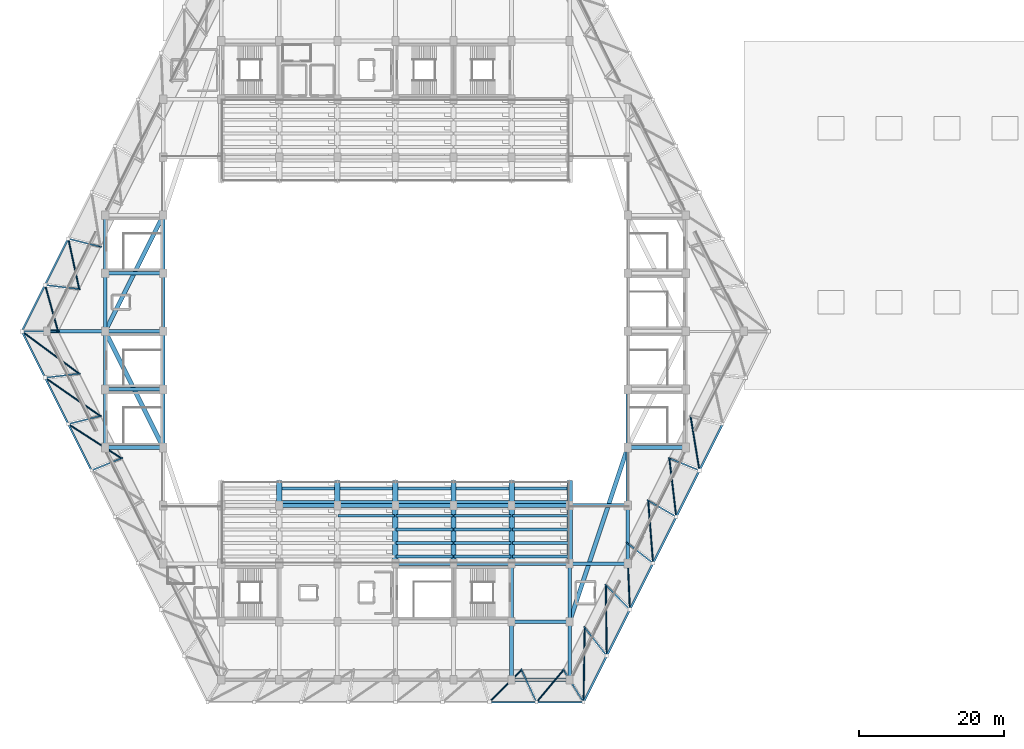
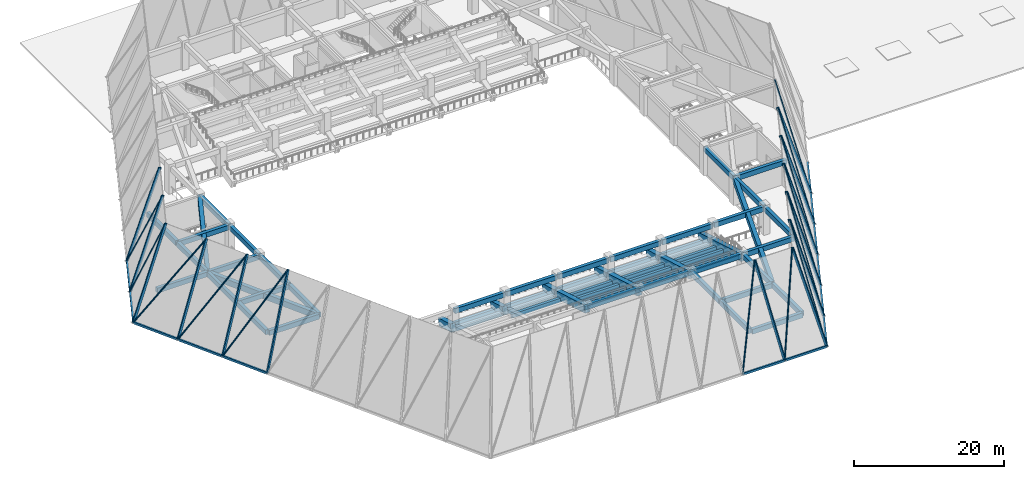
# One storey, part 2 of 24: 69 beams, 39 members.
"""IFC4 building model written with IfcOpenShell, lengths in metres."""

from ifc_helpers import new_model, si_unit, direction, frame, origin, origin_2d, place, context, subcontext, project, spatial, rectangle, hollow_rectangle, hollow_circle, extrude, material, material_profile, profile_set, type_object, element, save


model = new_model("IFC4")

# Units and contexts
model_context = context("Model", 3, precision=1e-05, world=origin(), true_north=direction((0.0, 1.0)))
body_context = subcontext(model_context, "Body", "Model", "MODEL_VIEW")
ifc_project = project(units=[si_unit("LENGTHUNIT", "METRE"), si_unit("AREAUNIT", "SQUARE_METRE"), si_unit("VOLUMEUNIT", "CUBIC_METRE"), si_unit("PLANEANGLEUNIT", "RADIAN"), si_unit("MASSUNIT", "GRAM", prefix="KILO")], contexts=[model_context])

# Site, building, storey
site_placement = place(None, origin())
site = spatial("IfcSite", under=ifc_project, at=site_placement, CompositionType="ELEMENT")
building_placement = place(site_placement, origin())
building = spatial("IfcBuilding", under=site, at=building_placement, Name="Tazarka Park Arena", CompositionType="ELEMENT")
storey_placement = place(building_placement, frame((0.0, 0.0, 15.0)))
storey = spatial("IfcBuildingStorey", under=building, at=storey_placement, Name="L03", CompositionType="ELEMENT", Elevation=15.0)

# Beams
ifc_material_1 = material(Name="Concrete C40/50", Category="concrete")
ifc_material_profile_1 = material_profile(ifc_material_1, rectangle(XDim=0.5, YDim=0.800048828125, at=origin_2d()), Name="Concrete C40/50")
ifc_profile_set_1 = profile_set([ifc_material_profile_1], Name="Concrete C40/50")
beam_type_1 = type_object("IfcBeamType", Name="BM-B-02", PredefinedType="BEAM", material=ifc_profile_set_1)
for number, where, z_axis, x_axis, name in (
    (1, (48.1201171875, 56.0, 4.02001953125), (1.0, 0.0, 0.0), (0.0, 1.0, 0.0), "GXM-L03-06-07"),
    (2, (48.1201171875, 64.0, 4.02001953125), (1.0, 0.0, 0.0), (0.0, 1.0, 0.0), "GXM-L03-06-08"),
    (3, (48.0, 64.1201171875, 4.02001953125), (0.0, 1.0, 0.0), (-1.0, 0.0, 0.0), "GYM-L03-06-08"),
    (4, (48.1201171875, 72.0, 4.02001953125), (1.0, 0.0, 0.0), (0.0, 1.0, 0.0), "GXM-L03-06-09"),
    (5, (88.1201171875, 32.0, 4.02001953125), (1.0, 0.0, 0.0), (0.0, 1.0, 0.0), "GXM-L03-11-04"),
    (6, (96.1201171875, 32.0, 4.02001953125), (1.0, 0.0, 0.0), (0.0, 1.0, 0.0), "GXM-L03-12-04"),
    (7, (104.0, 16.1201171875, 4.02001953125), (0.0, 1.0, 0.0), (-1.0, 0.0, 0.0), "GYM-L03-13-02"),
    (8, (104.1201171875, 24.0, 4.02001953125), (1.0, 0.0, 0.0), (0.0, 1.0, 0.0), "GXM-L03-13-03"),
    (9, (104.0, 24.1201171875, 4.02001953125), (0.0, 1.0, 0.0), (-1.0, 0.0, 0.0), "GYM-L03-13-03"),
    (10, (104.1201171875, 32.0, 4.02001953125), (1.0, 0.0, 0.0), (0.0, 1.0, 0.0), "GXM-L03-13-04"),
    (11, (112.1201171875, 32.0, 4.02001953125), (1.0, 0.0, 0.0), (0.0, 1.0, 0.0), "GXM-L03-14-04"),
    (12, (120.1201171875, 48.0, 4.02001953125), (1.0, 0.0, 0.0), (0.0, 1.0, 0.0), "GXM-L03-15-06"),
):
    element("IfcBeam", number, at=place(storey_placement, frame(where, z_axis=z_axis, x_axis=x_axis)), inside=storey, type_object=beam_type_1, Name=name, PredefinedType="BEAM", context=body_context, shape_type="SweptSolid", body=[
        extrude(rectangle(XDim=0.5, YDim=0.800048828125, at=origin_2d()), origin(), (0.0, 0.0, 1.0), 7.759765625),
    ])
ifc_material_2 = material(Name="Precast concrete C40/50", Category="concrete")
ifc_material_profile_2 = material_profile(ifc_material_2, rectangle(XDim=0.75, YDim=1.199951171875, at=origin_2d()), Name="Precast concrete C40/50")
ifc_profile_set_2 = profile_set([ifc_material_profile_2], Name="Precast concrete C40/50")
beam_type_2 = type_object("IfcBeamType", Name="BM-RK-02", PredefinedType="BEAM", material=ifc_profile_set_2)
for number, where, z_axis, x_axis, name in (
    (13, (72.0, 43.300048828125, 0.33056640625), (0.0, -0.959453616174, 0.281866561354), (1.0, 0.0, 0.0), "RAKER RK-02-02C"),
    (14, (80.0, 43.300048828125, 0.33056640625), (0.0, -0.959453616174, 0.281866561354), (1.0, 0.0, 0.0), "RAKER RK-02-03C"),
):
    element("IfcBeam", number, at=place(storey_placement, frame(where, z_axis=z_axis, x_axis=x_axis)), inside=storey, type_object=beam_type_2, Name=name, PredefinedType="BEAM", context=body_context, shape_type="SweptSolid", body=[
        extrude(rectangle(XDim=0.75, YDim=1.199951171875, at=origin_2d()), origin(), (0.0, 0.0, 1.0), 3.439453125),
    ])
beam_1_placement = place(storey_placement, frame((88.0, 40.0, 1.300048828125), z_axis=(0.0, -0.959465685015, 0.281825476632), x_axis=(1.0, 0.0, 0.0)))
element("IfcBeam", 15, at=beam_1_placement, inside=storey, type_object=beam_type_2, Name="RAKER RK-02-04B", PredefinedType="BEAM", context=body_context, shape_type="SweptSolid", body=[
    extrude(rectangle(XDim=0.75, YDim=1.199951171875, at=origin_2d()), origin(), (0.0, 0.0, 1.0), 8.337890625),
])
beam_2_placement = place(storey_placement, frame((88.0, 43.300048828125, 0.33056640625), z_axis=(0.0, -0.959453616174, 0.281866561354), x_axis=(1.0, 0.0, 0.0)))
element("IfcBeam", 16, at=beam_2_placement, inside=storey, type_object=beam_type_2, Name="RAKER RK-02-04C", PredefinedType="BEAM", context=body_context, shape_type="SweptSolid", body=[
    extrude(rectangle(XDim=0.75, YDim=1.199951171875, at=origin_2d()), origin(), (0.0, 0.0, 1.0), 3.439453125),
])
beam_3_placement = place(storey_placement, frame((96.0, 40.0, 1.300048828125), z_axis=(0.0, -0.959465685015, 0.281825476632), x_axis=(1.0, 0.0, 0.0)))
element("IfcBeam", 17, at=beam_3_placement, inside=storey, type_object=beam_type_2, Name="RAKER RK-02-05B", PredefinedType="BEAM", context=body_context, shape_type="SweptSolid", body=[
    extrude(rectangle(XDim=0.75, YDim=1.199951171875, at=origin_2d()), origin(), (0.0, 0.0, 1.0), 8.337890625),
])
beam_4_placement = place(storey_placement, frame((96.0, 43.300048828125, 0.33056640625), z_axis=(0.0, -0.959453616174, 0.281866561354), x_axis=(1.0, 0.0, 0.0)))
element("IfcBeam", 18, at=beam_4_placement, inside=storey, type_object=beam_type_2, Name="RAKER RK-02-05C", PredefinedType="BEAM", context=body_context, shape_type="SweptSolid", body=[
    extrude(rectangle(XDim=0.75, YDim=1.199951171875, at=origin_2d()), origin(), (0.0, 0.0, 1.0), 3.439453125),
])
beam_5_placement = place(storey_placement, frame((104.0, 40.0, 1.300048828125), z_axis=(0.0, -0.959465685015, 0.281825476632), x_axis=(1.0, 0.0, 0.0)))
element("IfcBeam", 19, at=beam_5_placement, inside=storey, type_object=beam_type_2, Name="RAKER RK-02-06B", PredefinedType="BEAM", context=body_context, shape_type="SweptSolid", body=[
    extrude(rectangle(XDim=0.75, YDim=1.199951171875, at=origin_2d()), origin(), (0.0, 0.0, 1.0), 8.337890625),
])
beam_6_placement = place(storey_placement, frame((104.0, 43.300048828125, 0.33056640625), z_axis=(0.0, -0.959453616174, 0.281866561354), x_axis=(1.0, 0.0, 0.0)))
element("IfcBeam", 20, at=beam_6_placement, inside=storey, type_object=beam_type_2, Name="RAKER RK-02-06C", PredefinedType="BEAM", context=body_context, shape_type="SweptSolid", body=[
    extrude(rectangle(XDim=0.75, YDim=1.199951171875, at=origin_2d()), origin(), (0.0, 0.0, 1.0), 3.439453125),
])
beam_7_placement = place(storey_placement, frame((112.0, 40.0, 1.300048828125), z_axis=(0.0, -0.959465685015, 0.281825476632), x_axis=(1.0, 0.0, 0.0)))
element("IfcBeam", 21, at=beam_7_placement, inside=storey, type_object=beam_type_2, Name="RAKER RK-02-07B", PredefinedType="BEAM", context=body_context, shape_type="SweptSolid", body=[
    extrude(rectangle(XDim=0.75, YDim=1.199951171875, at=origin_2d()), origin(), (0.0, 0.0, 1.0), 8.337890625),
])
beam_8_placement = place(storey_placement, frame((112.0, 43.300048828125, 0.33056640625), z_axis=(0.0, -0.959453616174, 0.281866561354), x_axis=(1.0, 0.0, 0.0)))
element("IfcBeam", 22, at=beam_8_placement, inside=storey, type_object=beam_type_2, Name="RAKER RK-02-07C", PredefinedType="BEAM", context=body_context, shape_type="SweptSolid", body=[
    extrude(rectangle(XDim=0.75, YDim=1.199951171875, at=origin_2d()), origin(), (0.0, 0.0, 1.0), 3.439453125),
])
ifc_material_3 = material(Name="Concrete C40/50", Category="concrete")
ifc_material_profile_3 = material_profile(ifc_material_3, rectangle(XDim=0.5, YDim=0.800048828125, at=origin_2d()), Name="Concrete C40/50")
ifc_profile_set_3 = profile_set([ifc_material_profile_3], Name="Concrete C40/50")
beam_type_3 = type_object("IfcBeamType", Name="BM-SP-01", PredefinedType="SPANDREL", material=ifc_profile_set_3)
for number, where, z_axis, x_axis, name in (
    (23, (40.1201171875, 64.0, 4.02001953125), (1.0, 0.0, 0.0), (0.0, 1.0, 0.0), "GXM-L03-05-08"),
    (24, (48.1201171875, 48.0, 4.02001953125), (1.0, 0.0, 0.0), (0.0, 1.0, 0.0), "GXM-L03-06-06"),
    (25, (48.0, 48.1201171875, 4.02001953125), (0.0, 1.0, 0.0), (-1.0, 0.0, 0.0), "GYM-L03-06-06"),
    (26, (48.0, 56.1201171875, 4.02001953125), (0.0, 1.0, 0.0), (-1.0, 0.0, 0.0), "GYM-L03-06-07"),
    (27, (48.0, 72.1201171875, 4.02001953125), (0.0, 1.0, 0.0), (-1.0, 0.0, 0.0), "GYM-L03-06-09"),
    (28, (56.0, 48.1201171875, 4.02001953125), (0.0, 1.0, 0.0), (-1.0, 0.0, 0.0), "GYM-L03-07-06"),
    (29, (56.0, 56.1201171875, 4.02001953125), (0.0, 1.0, 0.0), (-1.0, 0.0, 0.0), "GYM-L03-07-07"),
    (30, (56.0, 64.1201171875, 4.02001953125), (0.0, 1.0, 0.0), (-1.0, 0.0, 0.0), "GYM-L03-07-08"),
    (31, (56.0, 72.1201171875, 4.02001953125), (0.0, 1.0, 0.0), (-1.0, 0.0, 0.0), "GYM-L03-07-09"),
    (32, (72.1201171875, 40.0, 4.02001953125), (1.0, 0.0, 0.0), (0.0, 1.0, 0.0), "GXM-L03-09-05"),
    (33, (80.1201171875, 40.0, 4.02001953125), (1.0, 0.0, 0.0), (0.0, 1.0, 0.0), "GXM-L03-10-05"),
    (34, (88.1201171875, 40.0, 4.02001953125), (1.0, 0.0, 0.0), (0.0, 1.0, 0.0), "GXM-L03-11-05"),
    (35, (96.1201171875, 40.0, 4.02001953125), (1.0, 0.0, 0.0), (0.0, 1.0, 0.0), "GXM-L03-12-05"),
    (36, (104.1201171875, 16.0, 4.02001953125), (1.0, 0.0, 0.0), (0.0, 1.0, 0.0), "GXM-L03-13-02"),
    (37, (104.1201171875, 40.0, 4.02001953125), (1.0, 0.0, 0.0), (0.0, 1.0, 0.0), "GXM-L03-13-05"),
    (38, (112.0, 16.1201171875, 4.02001953125), (0.0, 1.0, 0.0), (-1.0, 0.0, 0.0), "GYM-L03-14-02"),
    (39, (112.0, 24.1201171875, 4.02001953125), (0.0, 1.0, 0.0), (-1.0, 0.0, 0.0), "GYM-L03-14-03"),
    (40, (112.1201171875, 40.0, 4.02001953125), (1.0, 0.0, 0.0), (0.0, 1.0, 0.0), "GXM-L03-14-05"),
    (41, (120.0, 32.1201171875, 4.02001953125), (0.0, 1.0, 0.0), (-1.0, 0.0, 0.0), "GYM-L03-15-04"),
    (42, (120.0, 40.1201171875, 4.02001953125), (0.0, 1.0, 0.0), (-1.0, 0.0, 0.0), "GYM-L03-15-05"),
    (43, (120.0, 48.1201171875, 4.02001953125), (0.0, 1.0, 0.0), (-1.0, 0.0, 0.0), "GYM-L03-15-06"),
):
    element("IfcBeam", number, at=place(storey_placement, frame(where, z_axis=z_axis, x_axis=x_axis)), inside=storey, type_object=beam_type_3, Name=name, PredefinedType="SPANDREL", context=body_context, shape_type="SweptSolid", body=[
        extrude(rectangle(XDim=0.5, YDim=0.800048828125, at=origin_2d()), origin(), (0.0, 0.0, 1.0), 7.759765625),
    ])
ifc_material_4 = material(Name="Concrete C40/50", Category="concrete")
ifc_material_profile_4 = material_profile(ifc_material_4, rectangle(XDim=0.60009765625, YDim=0.949951171875, at=origin_2d()), Name="Concrete C40/50")
ifc_profile_set_4 = profile_set([ifc_material_profile_4], Name="Concrete C40/50")
beam_type_4 = type_object("IfcBeamType", Name="BM-SP-03", PredefinedType="SPANDREL", material=ifc_profile_set_4)
beam_9_placement = place(storey_placement, frame((112.037841796875, 24.11376953125, 3.945068359375), z_axis=(0.316233611724, 0.948681349461, 0.0), x_axis=(-0.948681349461, 0.316233611724, 0.0)))
element("IfcBeam", 44, at=beam_9_placement, inside=storey, type_object=beam_type_4, Name="RING BEAM SP-03-L03-07", PredefinedType="SPANDREL", context=body_context, shape_type="SweptSolid", body=[
    extrude(rectangle(XDim=0.60009765625, YDim=0.949951171875, at=origin_2d()), origin(), (0.0, 0.0, 1.0), 25.058349609375),
])
for number, where, z_axis, x_axis, name in (
    (45, (55.9462890625, 79.892578125, 3.945068359375), (-0.4472135955, -0.894427191, 0.0), (0.894427191, -0.4472135955, 0.0), "RING BEAM SP-03-L03-18"),
    (46, (48.0537109375, 63.892578125, 3.945068359375), (0.4472135955, -0.894427191, 0.0), (0.894427191, 0.4472135955, 0.0), "RING BEAM SP-03-L03-19"),
):
    element("IfcBeam", number, at=place(storey_placement, frame(where, z_axis=z_axis, x_axis=x_axis)), inside=storey, type_object=beam_type_4, Name=name, PredefinedType="SPANDREL", context=body_context, shape_type="SweptSolid", body=[
        extrude(rectangle(XDim=0.60009765625, YDim=0.949951171875, at=origin_2d()), origin(), (0.0, 0.0, 1.0), 17.6484375),
    ])
ifc_material_5 = material(Name="Precast concrete C40/50", Category="concrete")
ifc_material_profile_5 = material_profile(ifc_material_5, rectangle(XDim=0.39990234375, YDim=0.64990234375, at=origin_2d()), Name="Precast concrete C40/50")
ifc_profile_set_5 = profile_set([ifc_material_profile_5], Name="Precast concrete C40/50")
beam_type_5 = type_object("IfcBeamType", Name="BM-TB-01", PredefinedType="BEAM", material=ifc_profile_set_5)
for number, where, z_axis, x_axis, name in (
    (47, (72.10009765625, 42.360107421875, -0.02490234375), (1.0, 0.0, 0.0), (0.0, 1.0, 0.0), "UTB-S-09-1"),
    (48, (80.10009765625, 42.360107421875, -0.02490234375), (1.0, 0.0, 0.0), (0.0, 1.0, 0.0), "UTB-S-10-1"),
    (49, (88.10009765625, 42.360107421875, -0.02490234375), (1.0, 0.0, 0.0), (0.0, 1.0, 0.0), "UTB-S-11-1"),
    (50, (96.10009765625, 42.360107421875, -0.02490234375), (1.0, 0.0, 0.0), (0.0, 1.0, 0.0), "UTB-S-12-1"),
    (51, (104.10009765625, 42.360107421875, -0.02490234375), (1.0, 0.0, 0.0), (0.0, 1.0, 0.0), "UTB-S-13-1"),
    (52, (72.10009765625, 40.47998046875, 0.60498046875), (1.0, 0.0, 0.0), (0.0, 1.0, 0.0), "UTB-S-09-2"),
    (53, (80.10009765625, 40.47998046875, 0.60498046875), (1.0, 0.0, 0.0), (0.0, 1.0, 0.0), "UTB-S-10-2"),
    (54, (88.10009765625, 40.47998046875, 0.60498046875), (1.0, 0.0, 0.0), (0.0, 1.0, 0.0), "UTB-S-11-2"),
    (55, (96.10009765625, 40.47998046875, 0.60498046875), (1.0, 0.0, 0.0), (0.0, 1.0, 0.0), "UTB-S-12-2"),
    (56, (104.10009765625, 40.47998046875, 0.60498046875), (1.0, 0.0, 0.0), (0.0, 1.0, 0.0), "UTB-S-13-2"),
    (57, (80.10009765625, 38.60009765625, 1.235107421875), (1.0, 0.0, 0.0), (0.0, 1.0, 0.0), "UTB-S-10-3"),
    (58, (88.10009765625, 38.60009765625, 1.235107421875), (1.0, 0.0, 0.0), (0.0, 1.0, 0.0), "UTB-S-11-3"),
    (59, (96.10009765625, 38.60009765625, 1.235107421875), (1.0, 0.0, 0.0), (0.0, 1.0, 0.0), "UTB-S-12-3"),
    (60, (104.10009765625, 38.60009765625, 1.235107421875), (1.0, 0.0, 0.0), (0.0, 1.0, 0.0), "UTB-S-13-3"),
    (61, (88.10009765625, 36.719970703125, 1.864990234375), (1.0, 0.0, 0.0), (0.0, 1.0, 0.0), "UTB-S-11-4"),
    (62, (96.10009765625, 36.719970703125, 1.864990234375), (1.0, 0.0, 0.0), (0.0, 1.0, 0.0), "UTB-S-12-4"),
    (63, (104.10009765625, 36.719970703125, 1.864990234375), (1.0, 0.0, 0.0), (0.0, 1.0, 0.0), "UTB-S-13-4"),
    (64, (88.10009765625, 34.840087890625, 2.4951171875), (1.0, 0.0, 0.0), (0.0, 1.0, 0.0), "UTB-S-11-5"),
    (65, (96.10009765625, 34.840087890625, 2.4951171875), (1.0, 0.0, 0.0), (0.0, 1.0, 0.0), "UTB-S-12-5"),
    (66, (104.10009765625, 34.840087890625, 2.4951171875), (1.0, 0.0, 0.0), (0.0, 1.0, 0.0), "UTB-S-13-5"),
    (67, (88.10009765625, 32.9599609375, 3.135009765625), (1.0, 0.0, 0.0), (0.0, 1.0, 0.0), "UTB-S-11-6"),
    (68, (96.10009765625, 32.9599609375, 3.135009765625), (1.0, 0.0, 0.0), (0.0, 1.0, 0.0), "UTB-S-12-6"),
    (69, (104.10009765625, 32.9599609375, 3.135009765625), (1.0, 0.0, 0.0), (0.0, 1.0, 0.0), "UTB-S-13-6"),
):
    element("IfcBeam", number, at=place(storey_placement, frame(where, z_axis=z_axis, x_axis=x_axis)), inside=storey, type_object=beam_type_5, Name=name, PredefinedType="BEAM", context=body_context, shape_type="SweptSolid", body=[
        extrude(rectangle(XDim=0.39990234375, YDim=0.64990234375, at=origin_2d()), origin(), (0.0, 0.0, 1.0), 7.7998046875),
    ])

# Members
ifc_material_6 = material(Name="Steel S355", Category="steel")
ifc_material_profile_6 = material_profile(ifc_material_6, hollow_circle(Radius=0.122314453125, WallThickness=0.012451171875, at=origin_2d()), Name="Steel S355")
ifc_profile_set_6 = profile_set([ifc_material_profile_6], Name="Steel S355")
member_type_1 = type_object("IfcMemberType", Name="MEM-BR-05", PredefinedType="BRACE", material=ifc_profile_set_6)
member_1_placement = place(storey_placement, frame((100.9580078125, 12.89990234375, 0.0), z_axis=(0.281470532125, 0.283758277797, 0.916654558341), x_axis=(-0.709962958162, 0.70423902053, 0.0)))
element("IfcMember", 70, at=member_1_placement, inside=storey, type_object=member_type_1, Name="FSD-06", PredefinedType="BRACE", context=body_context, shape_type="SweptSolid", body=[
    extrude(hollow_circle(Radius=0.122314453125, WallThickness=0.012451171875, at=origin_2d()), origin(), (0.0, 0.0, 1.0), 15.687255859375),
])
member_2_placement = place(storey_placement, frame((107.43701171875, 12.89990234375, 0.0), z_axis=(0.240380855767, 0.287043299705, 0.927266514156), x_axis=(-0.766671509979, 0.642039559363, 0.0)))
element("IfcMember", 71, at=member_2_placement, inside=storey, type_object=member_type_1, Name="FSD-07", PredefinedType="BRACE", context=body_context, shape_type="SweptSolid", body=[
    extrude(hollow_circle(Radius=0.122314453125, WallThickness=0.012451171875, at=origin_2d()), origin(), (0.0, 0.0, 1.0), 15.5078125),
])
member_3_placement = place(storey_placement, frame((113.916015625, 12.89990234375, 0.0), z_axis=(0.009293958918, 0.581638873276, 0.813394027161), x_axis=(-0.999872361557, 0.015976876854, 0.0)))
element("IfcMember", 72, at=member_3_placement, inside=storey, type_object=member_type_1, Name="FSD-08", PredefinedType="BRACE", context=body_context, shape_type="SweptSolid", body=[
    extrude(hollow_circle(Radius=0.122314453125, WallThickness=0.012451171875, at=origin_2d()), origin(), (0.0, 0.0, 1.0), 17.678955078125),
])
member_4_placement = place(storey_placement, frame((117.109619140625, 19.28759765625, 0.0), z_axis=(-0.006553317271, 0.560238312135, 0.828305552105), x_axis=(-0.999931592736, -0.011696574181, 0.0)))
element("IfcMember", 73, at=member_4_placement, inside=storey, type_object=member_type_1, Name="FSD-09", PredefinedType="BRACE", context=body_context, shape_type="SweptSolid", body=[
    extrude(hollow_circle(Radius=0.122314453125, WallThickness=0.012451171875, at=origin_2d()), origin(), (0.0, 0.0, 1.0), 17.360595703125),
])
member_5_placement = place(storey_placement, frame((120.303466796875, 25.675048828125, 0.0), z_axis=(-0.02298418939, 0.537509455233, 0.8429444303), x_axis=(-0.999087020342, -0.042721490885, 0.0)))
element("IfcMember", 74, at=member_5_placement, inside=storey, type_object=member_type_1, Name="FSD-10", PredefinedType="BRACE", context=body_context, shape_type="SweptSolid", body=[
    extrude(hollow_circle(Radius=0.122314453125, WallThickness=0.012451171875, at=origin_2d()), origin(), (0.0, 0.0, 1.0), 17.05908203125),
])
member_6_placement = place(storey_placement, frame((123.497314453125, 32.0625, 0.0), z_axis=(-0.039963526543, 0.513442540588, 0.857192903646), x_axis=(-0.996984591937, -0.07759976444, 0.0)))
element("IfcMember", 75, at=member_6_placement, inside=storey, type_object=member_type_1, Name="FSD-11", PredefinedType="BRACE", context=body_context, shape_type="SweptSolid", body=[
    extrude(hollow_circle(Radius=0.122314453125, WallThickness=0.012451171875, at=origin_2d()), origin(), (0.0, 0.0, 1.0), 16.775634765625),
])
member_7_placement = place(storey_placement, frame((126.69091796875, 38.449951171875, 0.0), z_axis=(-0.057447732384, 0.487987803447, 0.870957898943), x_axis=(-0.993141768348, -0.1169163289, 0.0)))
element("IfcMember", 76, at=member_7_placement, inside=storey, type_object=member_type_1, Name="FSD-12", PredefinedType="BRACE", context=body_context, shape_type="SweptSolid", body=[
    extrude(hollow_circle(Radius=0.122314453125, WallThickness=0.012451171875, at=origin_2d()), origin(), (0.0, 0.0, 1.0), 16.510498046875),
])
member_8_placement = place(storey_placement, frame((129.884521484375, 44.83740234375, 0.0), z_axis=(-0.07541221583, 0.461149302296, 0.884112164092), x_axis=(-0.986891146113, -0.161387315867, 0.0)))
element("IfcMember", 77, at=member_8_placement, inside=storey, type_object=member_type_1, Name="FSD-13", PredefinedType="BRACE", context=body_context, shape_type="SweptSolid", body=[
    extrude(hollow_circle(Radius=0.122314453125, WallThickness=0.012451171875, at=origin_2d()), origin(), (0.0, 0.0, 1.0), 16.264892578125),
])
member_9_placement = place(storey_placement, frame((42.921630859375, 76.77490234375, 0.0), z_axis=(0.093824066401, -0.432924090945, 0.896534313924), x_axis=(0.977311997828, 0.211804766001, 0.0)))
element("IfcMember", 78, at=member_9_placement, inside=storey, type_object=member_type_1, Name="FSD-38", PredefinedType="BRACE", context=body_context, shape_type="SweptSolid", body=[
    extrude(hollow_circle(Radius=0.122314453125, WallThickness=0.012451171875, at=origin_2d()), origin(), (0.0, 0.0, 1.0), 16.039306640625),
])
member_10_placement = place(storey_placement, frame((39.727783203125, 70.387451171875, 0.0), z_axis=(0.112608548555, -0.403364930975, 0.908083722601), x_axis=(0.963170584231, 0.268891103743, 0.0)))
element("IfcMember", 79, at=member_10_placement, inside=storey, type_object=member_type_1, Name="FSD-39", PredefinedType="BRACE", context=body_context, shape_type="SweptSolid", body=[
    extrude(hollow_circle(Radius=0.122314453125, WallThickness=0.012451171875, at=origin_2d()), origin(), (0.0, 0.0, 1.0), 15.83544921875),
])
member_11_placement = place(storey_placement, frame((36.5341796875, 64.0, 0.0), z_axis=(0.453349505798, -0.334946007872, 0.826005688481), x_axis=(0.594232249844, 0.804293499443, 0.0)))
element("IfcMember", 80, at=member_11_placement, inside=storey, type_object=member_type_1, Name="FSD-40", PredefinedType="BRACE", context=body_context, shape_type="SweptSolid", body=[
    extrude(hollow_circle(Radius=0.122314453125, WallThickness=0.012451171875, at=origin_2d()), origin(), (0.0, 0.0, 1.0), 17.408935546875),
])
member_12_placement = place(storey_placement, frame((39.727783203125, 57.612548828125, 0.0), z_axis=(0.44514887628, -0.308369933052, 0.8406845201), x_axis=(0.569447064431, 0.822028004882, 0.0)))
element("IfcMember", 81, at=member_12_placement, inside=storey, type_object=member_type_1, Name="FSD-41", PredefinedType="BRACE", context=body_context, shape_type="SweptSolid", body=[
    extrude(hollow_circle(Radius=0.122314453125, WallThickness=0.012451171875, at=origin_2d()), origin(), (0.0, 0.0, 1.0), 17.10498046875),
])
member_13_placement = place(storey_placement, frame((42.921630859375, 51.22509765625, 0.0), z_axis=(0.436184893003, -0.280541441766, 0.855008326607), x_axis=(0.540944316024, 0.841058408769, 0.0)))
element("IfcMember", 82, at=member_13_placement, inside=storey, type_object=member_type_1, Name="FSD-42", PredefinedType="BRACE", context=body_context, shape_type="SweptSolid", body=[
    extrude(hollow_circle(Radius=0.122314453125, WallThickness=0.012451171875, at=origin_2d()), origin(), (0.0, 0.0, 1.0), 16.818359375),
])
ifc_material_7 = material(Name="Steel S460", Category="steel")
ifc_material_profile_7 = material_profile(ifc_material_7, hollow_rectangle(XDim=0.199951171875, YDim=0.39990234375, WallThickness=0.01611328125, at=origin_2d()), Name="Steel S460")
ifc_profile_set_7 = profile_set([ifc_material_profile_7], Name="Steel S460")
member_type_2 = type_object("IfcMemberType", Name="MEM-SR-03", PredefinedType="STRUT", material=ifc_profile_set_7)
member_14_placement = place(storey_placement, frame((107.43701171875, 12.89990234375, 0.0), z_axis=(-0.135809694664, 0.29297422655, 0.94642581823), x_axis=(-0.907261986426, -0.420565913962, 0.0)))
element("IfcMember", 83, at=member_14_placement, inside=storey, type_object=member_type_2, Name="FSU-07", PredefinedType="STRUT", context=body_context, shape_type="SweptSolid", body=[
    extrude(hollow_rectangle(XDim=0.199951171875, YDim=0.39990234375, WallThickness=0.01611328125, at=origin_2d()), origin(), (0.0, 0.0, 1.0), 15.19384765625),
])
member_15_placement = place(storey_placement, frame((113.916015625, 12.89990234375, 0.0), z_axis=(-0.179789413355, 0.29089540986, 0.939710395477), x_axis=(-0.85064274872, -0.525744152653, 0.0)))
element("IfcMember", 84, at=member_15_placement, inside=storey, type_object=member_type_2, Name="FSU-08", PredefinedType="STRUT", context=body_context, shape_type="SweptSolid", body=[
    extrude(hollow_rectangle(XDim=0.199951171875, YDim=0.39990234375, WallThickness=0.01611328125, at=origin_2d()), origin(), (0.0, 0.0, 1.0), 15.302490234375),
])
member_16_placement = place(storey_placement, frame((117.109619140625, 19.28759765625, 0.0), z_axis=(-0.19925753849, 0.256202028454, 0.945863073585), x_axis=(-0.789368202232, -0.613920061006, 0.0)))
element("IfcMember", 85, at=member_16_placement, inside=storey, type_object=member_type_2, Name="FSU-09", PredefinedType="STRUT", context=body_context, shape_type="SweptSolid", body=[
    extrude(hollow_rectangle(XDim=0.199951171875, YDim=0.39990234375, WallThickness=0.01611328125, at=origin_2d()), origin(), (0.0, 0.0, 1.0), 15.202880859375),
])
member_17_placement = place(storey_placement, frame((120.303466796875, 25.675048828125, 0.0), z_axis=(-0.218636630539, 0.220686147227, 0.950523880925), x_axis=(-0.710397826082, -0.703800347185, 0.0)))
element("IfcMember", 86, at=member_17_placement, inside=storey, type_object=member_type_2, Name="FSU-10", PredefinedType="STRUT", context=body_context, shape_type="SweptSolid", body=[
    extrude(hollow_rectangle(XDim=0.199951171875, YDim=0.39990234375, WallThickness=0.01611328125, at=origin_2d()), origin(), (0.0, 0.0, 1.0), 15.12841796875),
])
member_18_placement = place(storey_placement, frame((123.497314453125, 32.0625, 0.0), z_axis=(-0.23780837995, 0.184492544222, 0.953629737137), x_axis=(-0.61296815481, -0.790107613676, 0.0)))
element("IfcMember", 87, at=member_18_placement, inside=storey, type_object=member_type_2, Name="FSU-11", PredefinedType="STRUT", context=body_context, shape_type="SweptSolid", body=[
    extrude(hollow_rectangle(XDim=0.199951171875, YDim=0.39990234375, WallThickness=0.01611328125, at=origin_2d()), origin(), (0.0, 0.0, 1.0), 15.0791015625),
])
member_19_placement = place(storey_placement, frame((126.69091796875, 38.449951171875, 0.0), z_axis=(-0.256652507162, 0.14784235217, 0.955129378394), x_axis=(-0.499148844122, -0.866516261481, 0.0)))
element("IfcMember", 88, at=member_19_placement, inside=storey, type_object=member_type_2, Name="FSU-12", PredefinedType="STRUT", context=body_context, shape_type="SweptSolid", body=[
    extrude(hollow_rectangle(XDim=0.199951171875, YDim=0.39990234375, WallThickness=0.01611328125, at=origin_2d()), origin(), (0.0, 0.0, 1.0), 15.055419921875),
])
member_20_placement = place(storey_placement, frame((129.884521484375, 44.83740234375, 0.0), z_axis=(-0.275086869246, 0.11087139054, 0.955005104242), x_axis=(-0.373821195148, -0.927500789249, 0.0)))
element("IfcMember", 89, at=member_20_placement, inside=storey, type_object=member_type_2, Name="FSU-13", PredefinedType="STRUT", context=body_context, shape_type="SweptSolid", body=[
    extrude(hollow_rectangle(XDim=0.199951171875, YDim=0.39990234375, WallThickness=0.01611328125, at=origin_2d()), origin(), (0.0, 0.0, 1.0), 15.057373046875),
])
member_21_placement = place(storey_placement, frame((42.921630859375, 76.77490234375, 0.0), z_axis=(0.2930321102, -0.073767831564, 0.95325258427), x_axis=(0.244123175142, 0.969744231928, 0.0)))
element("IfcMember", 90, at=member_21_placement, inside=storey, type_object=member_type_2, Name="FSU-38", PredefinedType="STRUT", context=body_context, shape_type="SweptSolid", body=[
    extrude(hollow_rectangle(XDim=0.199951171875, YDim=0.39990234375, WallThickness=0.01611328125, at=origin_2d()), origin(), (0.0, 0.0, 1.0), 15.0849609375),
])
member_22_placement = place(storey_placement, frame((39.727783203125, 70.387451171875, 0.0), z_axis=(0.310386559395, -0.036754181069, 0.949899633604), x_axis=(0.117592648169, 0.993061916044, 0.0)))
element("IfcMember", 91, at=member_22_placement, inside=storey, type_object=member_type_2, Name="FSU-39", PredefinedType="STRUT", context=body_context, shape_type="SweptSolid", body=[
    extrude(hollow_rectangle(XDim=0.199951171875, YDim=0.39990234375, WallThickness=0.01611328125, at=origin_2d()), origin(), (0.0, 0.0, 1.0), 15.138427734375),
])
member_23_placement = place(storey_placement, frame((36.5341796875, 64.0, 0.0), z_axis=(0.327060968423, 0.0, 0.945003239642), x_axis=(0.0, 1.0, 0.0)))
element("IfcMember", 92, at=member_23_placement, inside=storey, type_object=member_type_2, Name="FSU-40", PredefinedType="STRUT", context=body_context, shape_type="SweptSolid", body=[
    extrude(hollow_rectangle(XDim=0.199951171875, YDim=0.39990234375, WallThickness=0.01611328125, at=origin_2d()), origin(), (0.0, 0.0, 1.0), 15.216796875),
])
member_24_placement = place(storey_placement, frame((39.727783203125, 57.612548828125, 0.0), z_axis=(0.310386559395, 0.036754181069, 0.949899633604), x_axis=(-0.117592648169, 0.993061916044, 0.0)))
element("IfcMember", 93, at=member_24_placement, inside=storey, type_object=member_type_2, Name="FSU-41", PredefinedType="STRUT", context=body_context, shape_type="SweptSolid", body=[
    extrude(hollow_rectangle(XDim=0.199951171875, YDim=0.39990234375, WallThickness=0.01611328125, at=origin_2d()), origin(), (0.0, 0.0, 1.0), 15.138427734375),
])
member_25_placement = place(storey_placement, frame((42.921630859375, 51.22509765625, 0.0), z_axis=(0.2930321102, 0.073767831564, 0.95325258427), x_axis=(-0.244123175142, 0.969744231928, 0.0)))
element("IfcMember", 94, at=member_25_placement, inside=storey, type_object=member_type_2, Name="FSU-42", PredefinedType="STRUT", context=body_context, shape_type="SweptSolid", body=[
    extrude(hollow_rectangle(XDim=0.199951171875, YDim=0.39990234375, WallThickness=0.01611328125, at=origin_2d()), origin(), (0.0, 0.0, 1.0), 15.0849609375),
])
member_26_placement = place(storey_placement, frame((46.115234375, 44.83740234375, 0.0), z_axis=(0.275101856195, 0.110870896013, 0.955000844573), x_axis=(-0.373802241501, 0.927508428128, 0.0)))
element("IfcMember", 95, at=member_26_placement, inside=storey, type_object=member_type_2, Name="FSU-43", PredefinedType="STRUT", context=body_context, shape_type="SweptSolid", body=[
    extrude(hollow_rectangle(XDim=0.199951171875, YDim=0.39990234375, WallThickness=0.01611328125, at=origin_2d()), origin(), (0.0, 0.0, 1.0), 15.057373046875),
])
ifc_material_8 = material(Name="Steel S460", Category="steel")
ifc_material_profile_8 = material_profile(ifc_material_8, hollow_rectangle(XDim=0.25, YDim=0.35009765625, WallThickness=0.012451171875, at=origin_2d()), Name="Steel S460")
ifc_profile_set_8 = profile_set([ifc_material_profile_8], Name="Steel S460")
member_type_3 = type_object("IfcMemberType", Name="MEM-SR-04", PredefinedType="STRUT", material=ifc_profile_set_8)
for number, where, z_axis, x_axis, name in (
    (96, (100.9580078125, 12.89990234375, 0.0), (1.0, 0.0, 0.0), (0.0, 1.0, 0.0), "GMW-06"),
    (97, (107.43701171875, 12.89990234375, 0.0), (1.0, 0.0, 0.0), (0.0, 1.0, 0.0), "GMW-07"),
):
    element("IfcMember", number, at=place(storey_placement, frame(where, z_axis=z_axis, x_axis=x_axis)), inside=storey, type_object=member_type_3, Name=name, PredefinedType="STRUT", context=body_context, shape_type="SweptSolid", body=[
        extrude(hollow_rectangle(XDim=0.25, YDim=0.35009765625, WallThickness=0.012451171875, at=origin_2d()), origin(), (0.0, 0.0, 1.0), 6.47900390625),
    ])
member_27_placement = place(storey_placement, frame((113.916015625, 12.89990234375, 0.0), z_axis=(0.447186246541, 0.894440864957, 0.0), x_axis=(-0.894440864957, 0.447186246541, 0.0)))
element("IfcMember", 98, at=member_27_placement, inside=storey, type_object=member_type_3, Name="GMW-08", PredefinedType="STRUT", context=body_context, shape_type="SweptSolid", body=[
    extrude(hollow_rectangle(XDim=0.25, YDim=0.35009765625, WallThickness=0.012451171875, at=origin_2d()), origin(), (0.0, 0.0, 1.0), 7.1416015625),
])
for number, where, z_axis, x_axis, name in (
    (99, (117.109619140625, 19.28759765625, 0.0), (0.447227270032, 0.894420353603, 0.0), (-0.894420353603, 0.447227270032, 0.0), "GMW-09"),
    (100, (120.303466796875, 25.675048828125, 0.0), (0.447227270032, 0.894420353603, 0.0), (-0.894420353603, 0.447227270032, 0.0), "GMW-10"),
    (101, (123.497314453125, 32.0625, 0.0), (0.447199920655, 0.894434028292, 0.0), (-0.894434028292, 0.447199920655, 0.0), "GMW-11"),
    (102, (126.69091796875, 38.449951171875, 0.0), (0.447199920655, 0.894434028292, 0.0), (-0.894434028292, 0.447199920655, 0.0), "GMW-12"),
):
    element("IfcMember", number, at=place(storey_placement, frame(where, z_axis=z_axis, x_axis=x_axis)), inside=storey, type_object=member_type_3, Name=name, PredefinedType="STRUT", context=body_context, shape_type="SweptSolid", body=[
        extrude(hollow_rectangle(XDim=0.25, YDim=0.35009765625, WallThickness=0.012451171875, at=origin_2d()), origin(), (0.0, 0.0, 1.0), 7.141357421875),
    ])
member_28_placement = place(storey_placement, frame((129.884521484375, 44.83740234375, 0.0), z_axis=(0.4472135955, 0.894427191, 0.0), x_axis=(-0.894427191, 0.4472135955, 0.0)))
element("IfcMember", 103, at=member_28_placement, inside=storey, type_object=member_type_3, Name="GMW-13", PredefinedType="STRUT", context=body_context, shape_type="SweptSolid", body=[
    extrude(hollow_rectangle(XDim=0.25, YDim=0.35009765625, WallThickness=0.012451171875, at=origin_2d()), origin(), (0.0, 0.0, 1.0), 7.1416015625),
])
for number, where, z_axis, x_axis, name in (
    (104, (42.921630859375, 76.77490234375, 0.0), (-0.447227270032, -0.894420353603, 0.0), (0.894420353603, -0.447227270032, 0.0), "GMW-38"),
    (105, (39.727783203125, 70.387451171875, 0.0), (-0.447199920655, -0.894434028292, 0.0), (0.894434028292, -0.447199920655, 0.0), "GMW-39"),
    (106, (36.5341796875, 64.0, 0.0), (0.447199920655, -0.894434028292, 0.0), (0.894434028292, 0.447199920655, 0.0), "GMW-40"),
    (107, (39.727783203125, 57.612548828125, 0.0), (0.447227270032, -0.894420353603, 0.0), (0.894420353603, 0.447227270032, 0.0), "GMW-41"),
):
    element("IfcMember", number, at=place(storey_placement, frame(where, z_axis=z_axis, x_axis=x_axis)), inside=storey, type_object=member_type_3, Name=name, PredefinedType="STRUT", context=body_context, shape_type="SweptSolid", body=[
        extrude(hollow_rectangle(XDim=0.25, YDim=0.35009765625, WallThickness=0.012451171875, at=origin_2d()), origin(), (0.0, 0.0, 1.0), 7.141357421875),
    ])
member_29_placement = place(storey_placement, frame((42.921630859375, 51.22509765625, 0.0), z_axis=(0.447186246541, -0.894440864957, 0.0), x_axis=(0.894440864957, 0.447186246541, 0.0)))
element("IfcMember", 108, at=member_29_placement, inside=storey, type_object=member_type_3, Name="GMW-42", PredefinedType="STRUT", context=body_context, shape_type="SweptSolid", body=[
    extrude(hollow_rectangle(XDim=0.25, YDim=0.35009765625, WallThickness=0.012451171875, at=origin_2d()), origin(), (0.0, 0.0, 1.0), 7.1416015625),
])

save(model, "model.ifc")
